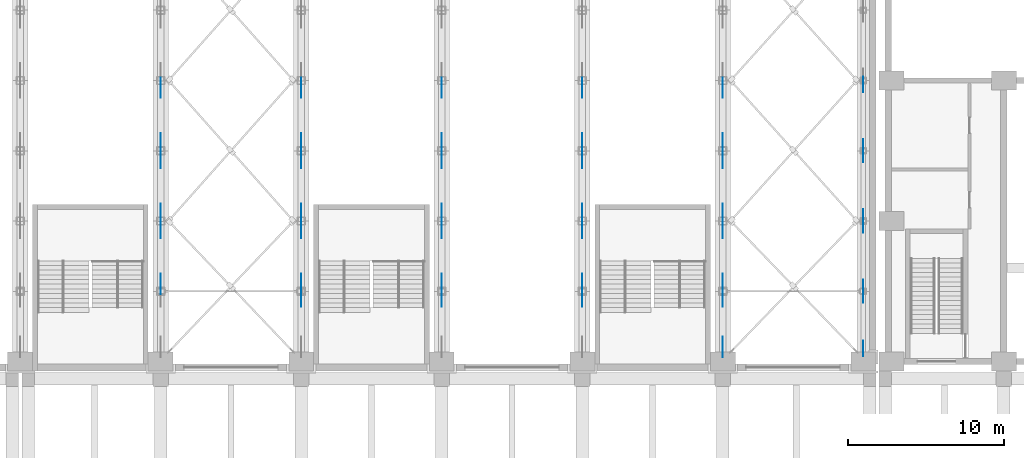
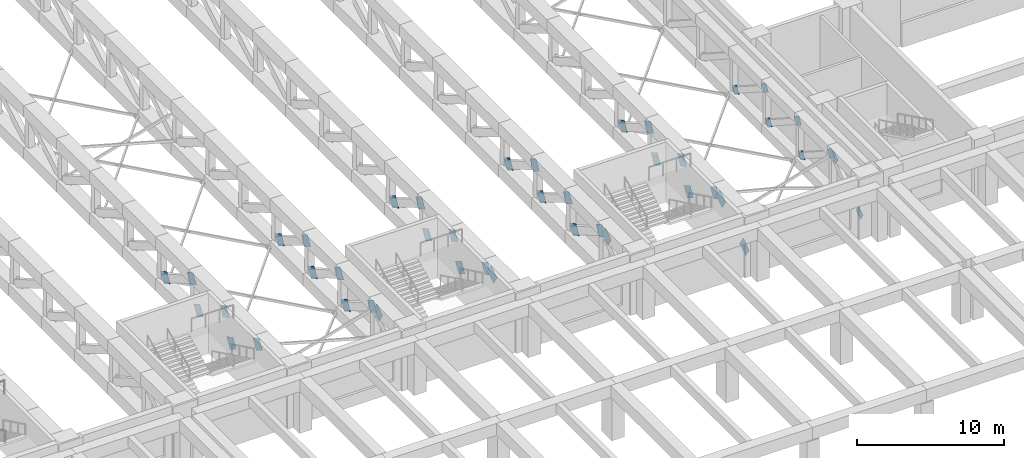
# One storey, part 53 of 76: 43 discrete accessories.
"""IFC4 building model written with IfcOpenShell, lengths in metres."""

from ifc_helpers import new_model, si_unit, direction, frame, origin, place, context, subcontext, project, spatial, polyline, outline, extrude, material, layer, layer_set, type_object, element, save


model = new_model("IFC4")

# Units and contexts
model_context = context("Model", 3, precision=1e-05, world=origin(), true_north=direction((0.0, 1.0)))
body_context = subcontext(model_context, "Body", "Model", "MODEL_VIEW")
ifc_project = project(units=[si_unit("LENGTHUNIT", "METRE"), si_unit("AREAUNIT", "SQUARE_METRE"), si_unit("VOLUMEUNIT", "CUBIC_METRE"), si_unit("PLANEANGLEUNIT", "RADIAN"), si_unit("MASSUNIT", "GRAM", prefix="KILO")], contexts=[model_context])

# Site, building, storey
site_placement = place(None, origin())
site = spatial("IfcSite", under=ifc_project, at=site_placement, CompositionType="ELEMENT")
building_placement = place(site_placement, origin())
building = spatial("IfcBuilding", under=site, at=building_placement, Name="Aravalli Gate Trade Fair Centre", CompositionType="ELEMENT")
storey_placement = place(building_placement, frame((0.0, 0.0, 10.0)))
storey = spatial("IfcBuildingStorey", under=building, at=storey_placement, Name="L02", CompositionType="ELEMENT", Elevation=10.0)

# Discrete accessories
ifc_material = material(Name="Steel E350", Category="steel")
ifc_layer_1 = layer(ifc_material, 0.01611328125)
ifc_layer_set_1 = layer_set([ifc_layer_1], Name="Steel E350")
discrete_accessory_type_1 = type_object("IfcDiscreteAccessoryType", Name="Gusset plate 675 x 675 x 16", PredefinedType="USERDEFINED", material=ifc_layer_set_1)
discrete_accessory_1_placement = place(storey_placement, frame((104.991943359375, 47.343017578125, 0.931884765625), z_axis=(-1.0, 0.0, 0.0), x_axis=(0.0, -0.80243851413, -0.596734807968)))
element("IfcDiscreteAccessory", 1, at=discrete_accessory_1_placement, inside=storey, type_object=discrete_accessory_type_1, Name="Gusset plate FT2 line 12 diagonal 1 end A", ObjectType="GUSSET PLATE", PredefinedType="USERDEFINED", context=body_context, shape_type="SweptSolid", body=[
    extrude(outline(polyline([(0.0, 0.0), (0.7548402525043576, 0.0), (0.7548082723853139, 0.675103392578611), (-3.1980119043650834e-05, 0.675103392578611), (0.0, 0.0)])), origin(), (0.0, 0.0, -1.0), 0.01611328125),
])
discrete_accessory_2_placement = place(storey_placement, frame((104.991943359375, 49.757080078125, 3.568115234375), z_axis=(-1.0, 0.0, 0.0), x_axis=(0.0, 0.80243851413, 0.596734807968)))
element("IfcDiscreteAccessory", 2, at=discrete_accessory_2_placement, inside=storey, type_object=discrete_accessory_type_1, Name="Gusset plate FT2 line 12 diagonal 1 end B", ObjectType="GUSSET PLATE", PredefinedType="USERDEFINED", context=body_context, shape_type="SweptSolid", body=[
    extrude(outline(polyline([(0.0, 0.0), (0.7548402525043576, 0.0), (0.7548082723853139, 0.675103392578611), (-0.00022788795940736906, 0.6749577053696343), (0.0, 0.0)])), origin(), (0.0, 0.0, -1.0), 0.01611328125),
])
discrete_accessory_3_placement = place(storey_placement, frame((104.991943359375, 50.884521484375, 3.05078125), z_axis=(-1.0, 0.0, 0.0), x_axis=(0.0, -0.840557944742, 0.541721645803)))
element("IfcDiscreteAccessory", 3, at=discrete_accessory_3_placement, inside=storey, type_object=discrete_accessory_type_1, Name="Gusset plate FT2 line 12 diagonal 2 end A", ObjectType="GUSSET PLATE", PredefinedType="USERDEFINED", context=body_context, shape_type="SweptSolid", body=[
    extrude(outline(polyline([(0.0, 0.0), (0.7548813122812147, -5.551115123125783e-17), (0.755038993328129, 0.6749057537468108), (-0.0001797895562460905, 0.6748327956660154), (0.0, 0.0)])), origin(), (0.0, 0.0, -1.0), 0.01611328125),
])
discrete_accessory_4_placement = place(storey_placement, frame((105.008056640625, 54.249755859375, 0.882080078125), z_axis=(1.0, 0.0, 0.0), x_axis=(0.0, 0.840505607678, -0.541802845565)))
element("IfcDiscreteAccessory", 4, at=discrete_accessory_4_placement, inside=storey, type_object=discrete_accessory_type_1, Name="Gusset plate FT2 line 12 diagonal 2 end B", ObjectType="GUSSET PLATE", PredefinedType="USERDEFINED", context=body_context, shape_type="SweptSolid", body=[
    extrude(outline(polyline([(0.0, 0.0), (0.755218786408441, 0.0), (0.7549959059400588, 0.6749057353646954), (0.00011459718133527419, 0.674832809885664), (0.0, 0.0)])), origin(), (0.0, 0.0, -1.0), 0.01611328125),
])
discrete_accessory_5_placement = place(storey_placement, frame((104.991943359375, 55.384521484375, 3.05078125), z_axis=(-1.0, 0.0, 0.0), x_axis=(0.0, -0.840557944742, 0.541721645803)))
element("IfcDiscreteAccessory", 5, at=discrete_accessory_5_placement, inside=storey, type_object=discrete_accessory_type_1, Name="Gusset plate FT2 line 12 diagonal 3 end A", ObjectType="GUSSET PLATE", PredefinedType="USERDEFINED", context=body_context, shape_type="SweptSolid", body=[
    extrude(outline(polyline([(0.0, 0.0), (0.7548813122812147, -5.551115123125783e-17), (0.755038993328129, 0.6749057537468108), (-0.0001797895562460905, 0.6748327956660154), (0.0, 0.0)])), origin(), (0.0, 0.0, -1.0), 0.01611328125),
])
discrete_accessory_6_placement = place(storey_placement, frame((105.008056640625, 58.749755859375, 0.882080078125), z_axis=(1.0, 0.0, 0.0), x_axis=(0.0, 0.840505607678, -0.541802845565)))
element("IfcDiscreteAccessory", 6, at=discrete_accessory_6_placement, inside=storey, type_object=discrete_accessory_type_1, Name="Gusset plate FT2 line 12 diagonal 3 end B", ObjectType="GUSSET PLATE", PredefinedType="USERDEFINED", context=body_context, shape_type="SweptSolid", body=[
    extrude(outline(polyline([(0.0, 0.0), (0.755218786408441, 0.0), (0.7549959059400588, 0.6749057353646954), (0.00011459718133527419, 0.674832809885664), (0.0, 0.0)])), origin(), (0.0, 0.0, -1.0), 0.01611328125),
])
discrete_accessory_7_placement = place(storey_placement, frame((104.991943359375, 59.884521484375, 3.05078125), z_axis=(-1.0, 0.0, 0.0), x_axis=(0.0, -0.840557944742, 0.541721645803)))
element("IfcDiscreteAccessory", 7, at=discrete_accessory_7_placement, inside=storey, type_object=discrete_accessory_type_1, Name="Gusset plate FT2 line 12 diagonal 4 end A", ObjectType="GUSSET PLATE", PredefinedType="USERDEFINED", context=body_context, shape_type="SweptSolid", body=[
    extrude(outline(polyline([(0.0, 0.0), (0.7548813122812147, -5.551115123125783e-17), (0.755038993328129, 0.6749057537468108), (-0.0001797895562460905, 0.6748327956660154), (0.0, 0.0)])), origin(), (0.0, 0.0, -1.0), 0.01611328125),
])
discrete_accessory_8_placement = place(storey_placement, frame((105.008056640625, 63.249755859375, 0.882080078125), z_axis=(1.0, 0.0, 0.0), x_axis=(0.0, 0.840505607678, -0.541802845565)))
element("IfcDiscreteAccessory", 8, at=discrete_accessory_8_placement, inside=storey, type_object=discrete_accessory_type_1, Name="Gusset plate FT2 line 12 diagonal 4 end B", ObjectType="GUSSET PLATE", PredefinedType="USERDEFINED", context=body_context, shape_type="SweptSolid", body=[
    extrude(outline(polyline([(0.0, 0.0), (0.755218786408441, 0.0), (0.7549959059400588, 0.6749057353646954), (0.00011459718133527419, 0.674832809885664), (0.0, 0.0)])), origin(), (0.0, 0.0, -1.0), 0.01611328125),
])
ifc_layer_2 = layer(ifc_material, 0.02001953125)
ifc_layer_set_2 = layer_set([ifc_layer_2], Name="Steel E350")
discrete_accessory_type_2 = type_object("IfcDiscreteAccessoryType", Name="Gusset plate 900 x 900 x 20", PredefinedType="USERDEFINED", material=ifc_layer_set_2)
discrete_accessory_9_placement = place(storey_placement, frame((59.989990234375, 51.156005859375, 2.657958984375), z_axis=(-1.0, 0.0, 0.0), x_axis=(0.0, -0.86388729855, 0.503685155037)))
element("IfcDiscreteAccessory", 9, at=discrete_accessory_9_placement, inside=storey, type_object=discrete_accessory_type_2, Name="Gusset plate FT1 line 7 diagonal 2 end A", ObjectType="GUSSET PLATE", PredefinedType="USERDEFINED", context=body_context, shape_type="SweptSolid", body=[
    extrude(outline(polyline([(0.0, 0.0), (0.9800811852673053, 0.0), (0.9800808203711375, 0.9001036081016202), (-3.6489616778156986e-07, 0.9001036081016202), (0.0, 0.0)])), origin(), (0.0, 0.0, -1.0), 0.02001953125),
])
discrete_accessory_10_placement = place(storey_placement, frame((60.010009765625, 53.890625, 1.064453125), z_axis=(1.0, 0.0, 0.0), x_axis=(0.0, 0.86388729855, -0.503685155037)))
element("IfcDiscreteAccessory", 10, at=discrete_accessory_10_placement, inside=storey, type_object=discrete_accessory_type_2, Name="Gusset plate FT1 line 7 diagonal 2 end B", ObjectType="GUSSET PLATE", PredefinedType="USERDEFINED", context=body_context, shape_type="SweptSolid", body=[
    extrude(outline(polyline([(0.0, 0.0), (0.9800811852673053, 0.0), (0.980081550163473, 0.9001036081016202), (3.6489616778156986e-07, 0.9001036081016202), (0.0, 0.0)])), origin(), (0.0, 0.0, -1.0), 0.02001953125),
])
discrete_accessory_11_placement = place(storey_placement, frame((59.989990234375, 55.656005859375, 2.657958984375), z_axis=(-1.0, 0.0, 0.0), x_axis=(0.0, -0.86388729855, 0.503685155037)))
element("IfcDiscreteAccessory", 11, at=discrete_accessory_11_placement, inside=storey, type_object=discrete_accessory_type_2, Name="Gusset plate FT1 line 7 diagonal 3 end A", ObjectType="GUSSET PLATE", PredefinedType="USERDEFINED", context=body_context, shape_type="SweptSolid", body=[
    extrude(outline(polyline([(0.0, 0.0), (0.9800811852673053, 0.0), (0.9800808203711375, 0.9001036081016202), (-3.6489616778156986e-07, 0.9001036081016202), (0.0, 0.0)])), origin(), (0.0, 0.0, -1.0), 0.02001953125),
])
discrete_accessory_12_placement = place(storey_placement, frame((60.010009765625, 58.390625, 1.064453125), z_axis=(1.0, 0.0, 0.0), x_axis=(0.0, 0.86388729855, -0.503685155037)))
element("IfcDiscreteAccessory", 12, at=discrete_accessory_12_placement, inside=storey, type_object=discrete_accessory_type_2, Name="Gusset plate FT1 line 7 diagonal 3 end B", ObjectType="GUSSET PLATE", PredefinedType="USERDEFINED", context=body_context, shape_type="SweptSolid", body=[
    extrude(outline(polyline([(0.0, 0.0), (0.9800811852673053, 0.0), (0.980081550163473, 0.9001036081016202), (3.6489616778156986e-07, 0.9001036081016202), (0.0, 0.0)])), origin(), (0.0, 0.0, -1.0), 0.02001953125),
])
discrete_accessory_13_placement = place(storey_placement, frame((59.989990234375, 60.156005859375, 2.657958984375), z_axis=(-1.0, 0.0, 0.0), x_axis=(0.0, -0.86388729855, 0.503685155037)))
element("IfcDiscreteAccessory", 13, at=discrete_accessory_13_placement, inside=storey, type_object=discrete_accessory_type_2, Name="Gusset plate FT1 line 7 diagonal 4 end A", ObjectType="GUSSET PLATE", PredefinedType="USERDEFINED", context=body_context, shape_type="SweptSolid", body=[
    extrude(outline(polyline([(0.0, 0.0), (0.9800811852673053, 0.0), (0.9800808203711375, 0.9001036081016202), (-3.6489616778156986e-07, 0.9001036081016202), (0.0, 0.0)])), origin(), (0.0, 0.0, -1.0), 0.02001953125),
])
discrete_accessory_14_placement = place(storey_placement, frame((60.010009765625, 62.890625, 1.064453125), z_axis=(1.0, 0.0, 0.0), x_axis=(0.0, 0.86388729855, -0.503685155037)))
element("IfcDiscreteAccessory", 14, at=discrete_accessory_14_placement, inside=storey, type_object=discrete_accessory_type_2, Name="Gusset plate FT1 line 7 diagonal 4 end B", ObjectType="GUSSET PLATE", PredefinedType="USERDEFINED", context=body_context, shape_type="SweptSolid", body=[
    extrude(outline(polyline([(0.0, 0.0), (0.9800811852673053, 0.0), (0.980081550163473, 0.9001036081016202), (3.6489616778156986e-07, 0.9001036081016202), (0.0, 0.0)])), origin(), (0.0, 0.0, -1.0), 0.02001953125),
])
discrete_accessory_15_placement = place(storey_placement, frame((68.989990234375, 49.49951171875, 3.39306640625), z_axis=(-1.0, 0.0, 0.0), x_axis=(0.0, 0.841768840933, 0.539838140959)))
element("IfcDiscreteAccessory", 15, at=discrete_accessory_15_placement, inside=storey, type_object=discrete_accessory_type_2, Name="Gusset plate FT1 line 8 diagonal 1 end B", ObjectType="GUSSET PLATE", PredefinedType="USERDEFINED", context=body_context, shape_type="SweptSolid", body=[
    extrude(outline(polyline([(0.0, 0.0), (0.9800210363699342, 0.0), (0.9798897873266467, 0.9001778278234601), (-0.00020496259308583342, 0.8998405214313965), (0.0, 0.0)])), origin(), (0.0, 0.0, -1.0), 0.02001953125),
])
discrete_accessory_16_placement = place(storey_placement, frame((68.989990234375, 51.156005859375, 2.657958984375), z_axis=(-1.0, 0.0, 0.0), x_axis=(0.0, -0.86388729855, 0.503685155037)))
element("IfcDiscreteAccessory", 16, at=discrete_accessory_16_placement, inside=storey, type_object=discrete_accessory_type_2, Name="Gusset plate FT1 line 8 diagonal 2 end A", ObjectType="GUSSET PLATE", PredefinedType="USERDEFINED", context=body_context, shape_type="SweptSolid", body=[
    extrude(outline(polyline([(0.0, 0.0), (0.9800811852673053, 0.0), (0.9800808203711375, 0.9001036081016202), (-3.6489616778156986e-07, 0.9001036081016202), (0.0, 0.0)])), origin(), (0.0, 0.0, -1.0), 0.02001953125),
])
discrete_accessory_17_placement = place(storey_placement, frame((69.010009765625, 53.890625, 1.064453125), z_axis=(1.0, 0.0, 0.0), x_axis=(0.0, 0.86388729855, -0.503685155037)))
element("IfcDiscreteAccessory", 17, at=discrete_accessory_17_placement, inside=storey, type_object=discrete_accessory_type_2, Name="Gusset plate FT1 line 8 diagonal 2 end B", ObjectType="GUSSET PLATE", PredefinedType="USERDEFINED", context=body_context, shape_type="SweptSolid", body=[
    extrude(outline(polyline([(0.0, 0.0), (0.9800811852673053, 0.0), (0.980081550163473, 0.9001036081016202), (3.6489616778156986e-07, 0.9001036081016202), (0.0, 0.0)])), origin(), (0.0, 0.0, -1.0), 0.02001953125),
])
discrete_accessory_18_placement = place(storey_placement, frame((68.989990234375, 55.656005859375, 2.657958984375), z_axis=(-1.0, 0.0, 0.0), x_axis=(0.0, -0.86388729855, 0.503685155037)))
element("IfcDiscreteAccessory", 18, at=discrete_accessory_18_placement, inside=storey, type_object=discrete_accessory_type_2, Name="Gusset plate FT1 line 8 diagonal 3 end A", ObjectType="GUSSET PLATE", PredefinedType="USERDEFINED", context=body_context, shape_type="SweptSolid", body=[
    extrude(outline(polyline([(0.0, 0.0), (0.9800811852673053, 0.0), (0.9800808203711375, 0.9001036081016202), (-3.6489616778156986e-07, 0.9001036081016202), (0.0, 0.0)])), origin(), (0.0, 0.0, -1.0), 0.02001953125),
])
discrete_accessory_19_placement = place(storey_placement, frame((69.010009765625, 58.390625, 1.064453125), z_axis=(1.0, 0.0, 0.0), x_axis=(0.0, 0.86388729855, -0.503685155037)))
element("IfcDiscreteAccessory", 19, at=discrete_accessory_19_placement, inside=storey, type_object=discrete_accessory_type_2, Name="Gusset plate FT1 line 8 diagonal 3 end B", ObjectType="GUSSET PLATE", PredefinedType="USERDEFINED", context=body_context, shape_type="SweptSolid", body=[
    extrude(outline(polyline([(0.0, 0.0), (0.9800811852673053, 0.0), (0.980081550163473, 0.9001036081016202), (3.6489616778156986e-07, 0.9001036081016202), (0.0, 0.0)])), origin(), (0.0, 0.0, -1.0), 0.02001953125),
])
discrete_accessory_20_placement = place(storey_placement, frame((68.989990234375, 60.156005859375, 2.657958984375), z_axis=(-1.0, 0.0, 0.0), x_axis=(0.0, -0.86388729855, 0.503685155037)))
element("IfcDiscreteAccessory", 20, at=discrete_accessory_20_placement, inside=storey, type_object=discrete_accessory_type_2, Name="Gusset plate FT1 line 8 diagonal 4 end A", ObjectType="GUSSET PLATE", PredefinedType="USERDEFINED", context=body_context, shape_type="SweptSolid", body=[
    extrude(outline(polyline([(0.0, 0.0), (0.9800811852673053, 0.0), (0.9800808203711375, 0.9001036081016202), (-3.6489616778156986e-07, 0.9001036081016202), (0.0, 0.0)])), origin(), (0.0, 0.0, -1.0), 0.02001953125),
])
discrete_accessory_21_placement = place(storey_placement, frame((69.010009765625, 62.890625, 1.064453125), z_axis=(1.0, 0.0, 0.0), x_axis=(0.0, 0.86388729855, -0.503685155037)))
element("IfcDiscreteAccessory", 21, at=discrete_accessory_21_placement, inside=storey, type_object=discrete_accessory_type_2, Name="Gusset plate FT1 line 8 diagonal 4 end B", ObjectType="GUSSET PLATE", PredefinedType="USERDEFINED", context=body_context, shape_type="SweptSolid", body=[
    extrude(outline(polyline([(0.0, 0.0), (0.9800811852673053, 0.0), (0.980081550163473, 0.9001036081016202), (3.6489616778156986e-07, 0.9001036081016202), (0.0, 0.0)])), origin(), (0.0, 0.0, -1.0), 0.02001953125),
])
discrete_accessory_22_placement = place(storey_placement, frame((77.989990234375, 49.49951171875, 3.39306640625), z_axis=(-1.0, 0.0, 0.0), x_axis=(0.0, 0.841768840933, 0.539838140959)))
element("IfcDiscreteAccessory", 22, at=discrete_accessory_22_placement, inside=storey, type_object=discrete_accessory_type_2, Name="Gusset plate FT1 line 9 diagonal 1 end B", ObjectType="GUSSET PLATE", PredefinedType="USERDEFINED", context=body_context, shape_type="SweptSolid", body=[
    extrude(outline(polyline([(0.0, 0.0), (0.9800210363699342, 0.0), (0.9798897873266467, 0.9001778278234601), (-0.00020496259308583342, 0.8998405214313965), (0.0, 0.0)])), origin(), (0.0, 0.0, -1.0), 0.02001953125),
])
discrete_accessory_23_placement = place(storey_placement, frame((77.989990234375, 51.156005859375, 2.657958984375), z_axis=(-1.0, 0.0, 0.0), x_axis=(0.0, -0.86388729855, 0.503685155037)))
element("IfcDiscreteAccessory", 23, at=discrete_accessory_23_placement, inside=storey, type_object=discrete_accessory_type_2, Name="Gusset plate FT1 line 9 diagonal 2 end A", ObjectType="GUSSET PLATE", PredefinedType="USERDEFINED", context=body_context, shape_type="SweptSolid", body=[
    extrude(outline(polyline([(0.0, 0.0), (0.9800811852673053, 0.0), (0.9800808203711375, 0.9001036081016202), (-3.6489616778156986e-07, 0.9001036081016202), (0.0, 0.0)])), origin(), (0.0, 0.0, -1.0), 0.02001953125),
])
discrete_accessory_24_placement = place(storey_placement, frame((78.010009765625, 53.890625, 1.064453125), z_axis=(1.0, 0.0, 0.0), x_axis=(0.0, 0.86388729855, -0.503685155037)))
element("IfcDiscreteAccessory", 24, at=discrete_accessory_24_placement, inside=storey, type_object=discrete_accessory_type_2, Name="Gusset plate FT1 line 9 diagonal 2 end B", ObjectType="GUSSET PLATE", PredefinedType="USERDEFINED", context=body_context, shape_type="SweptSolid", body=[
    extrude(outline(polyline([(0.0, 0.0), (0.9800811852673053, 0.0), (0.980081550163473, 0.9001036081016202), (3.6489616778156986e-07, 0.9001036081016202), (0.0, 0.0)])), origin(), (0.0, 0.0, -1.0), 0.02001953125),
])
discrete_accessory_25_placement = place(storey_placement, frame((77.989990234375, 55.656005859375, 2.657958984375), z_axis=(-1.0, 0.0, 0.0), x_axis=(0.0, -0.86388729855, 0.503685155037)))
element("IfcDiscreteAccessory", 25, at=discrete_accessory_25_placement, inside=storey, type_object=discrete_accessory_type_2, Name="Gusset plate FT1 line 9 diagonal 3 end A", ObjectType="GUSSET PLATE", PredefinedType="USERDEFINED", context=body_context, shape_type="SweptSolid", body=[
    extrude(outline(polyline([(0.0, 0.0), (0.9800811852673053, 0.0), (0.9800808203711375, 0.9001036081016202), (-3.6489616778156986e-07, 0.9001036081016202), (0.0, 0.0)])), origin(), (0.0, 0.0, -1.0), 0.02001953125),
])
discrete_accessory_26_placement = place(storey_placement, frame((78.010009765625, 58.390625, 1.064453125), z_axis=(1.0, 0.0, 0.0), x_axis=(0.0, 0.86388729855, -0.503685155037)))
element("IfcDiscreteAccessory", 26, at=discrete_accessory_26_placement, inside=storey, type_object=discrete_accessory_type_2, Name="Gusset plate FT1 line 9 diagonal 3 end B", ObjectType="GUSSET PLATE", PredefinedType="USERDEFINED", context=body_context, shape_type="SweptSolid", body=[
    extrude(outline(polyline([(0.0, 0.0), (0.9800811852673053, 0.0), (0.980081550163473, 0.9001036081016202), (3.6489616778156986e-07, 0.9001036081016202), (0.0, 0.0)])), origin(), (0.0, 0.0, -1.0), 0.02001953125),
])
discrete_accessory_27_placement = place(storey_placement, frame((77.989990234375, 60.156005859375, 2.657958984375), z_axis=(-1.0, 0.0, 0.0), x_axis=(0.0, -0.86388729855, 0.503685155037)))
element("IfcDiscreteAccessory", 27, at=discrete_accessory_27_placement, inside=storey, type_object=discrete_accessory_type_2, Name="Gusset plate FT1 line 9 diagonal 4 end A", ObjectType="GUSSET PLATE", PredefinedType="USERDEFINED", context=body_context, shape_type="SweptSolid", body=[
    extrude(outline(polyline([(0.0, 0.0), (0.9800811852673053, 0.0), (0.9800808203711375, 0.9001036081016202), (-3.6489616778156986e-07, 0.9001036081016202), (0.0, 0.0)])), origin(), (0.0, 0.0, -1.0), 0.02001953125),
])
discrete_accessory_28_placement = place(storey_placement, frame((78.010009765625, 62.890625, 1.064453125), z_axis=(1.0, 0.0, 0.0), x_axis=(0.0, 0.86388729855, -0.503685155037)))
element("IfcDiscreteAccessory", 28, at=discrete_accessory_28_placement, inside=storey, type_object=discrete_accessory_type_2, Name="Gusset plate FT1 line 9 diagonal 4 end B", ObjectType="GUSSET PLATE", PredefinedType="USERDEFINED", context=body_context, shape_type="SweptSolid", body=[
    extrude(outline(polyline([(0.0, 0.0), (0.9800811852673053, 0.0), (0.980081550163473, 0.9001036081016202), (3.6489616778156986e-07, 0.9001036081016202), (0.0, 0.0)])), origin(), (0.0, 0.0, -1.0), 0.02001953125),
])
discrete_accessory_29_placement = place(storey_placement, frame((86.989990234375, 49.49951171875, 3.39306640625), z_axis=(-1.0, 0.0, 0.0), x_axis=(0.0, 0.841768840933, 0.539838140959)))
element("IfcDiscreteAccessory", 29, at=discrete_accessory_29_placement, inside=storey, type_object=discrete_accessory_type_2, Name="Gusset plate FT1 line 10 diagonal 1 end B", ObjectType="GUSSET PLATE", PredefinedType="USERDEFINED", context=body_context, shape_type="SweptSolid", body=[
    extrude(outline(polyline([(0.0, 0.0), (0.9800210363699342, 0.0), (0.9798897873266467, 0.9001778278234601), (-0.00020496259308583342, 0.8998405214313965), (0.0, 0.0)])), origin(), (0.0, 0.0, -1.0), 0.02001953125),
])
discrete_accessory_30_placement = place(storey_placement, frame((86.989990234375, 51.156005859375, 2.657958984375), z_axis=(-1.0, 0.0, 0.0), x_axis=(0.0, -0.86388729855, 0.503685155037)))
element("IfcDiscreteAccessory", 30, at=discrete_accessory_30_placement, inside=storey, type_object=discrete_accessory_type_2, Name="Gusset plate FT1 line 10 diagonal 2 end A", ObjectType="GUSSET PLATE", PredefinedType="USERDEFINED", context=body_context, shape_type="SweptSolid", body=[
    extrude(outline(polyline([(0.0, 0.0), (0.9800811852673053, 0.0), (0.9800808203711375, 0.9001036081016202), (-3.6489616778156986e-07, 0.9001036081016202), (0.0, 0.0)])), origin(), (0.0, 0.0, -1.0), 0.02001953125),
])
discrete_accessory_31_placement = place(storey_placement, frame((87.010009765625, 53.890625, 1.064453125), z_axis=(1.0, 0.0, 0.0), x_axis=(0.0, 0.86388729855, -0.503685155037)))
element("IfcDiscreteAccessory", 31, at=discrete_accessory_31_placement, inside=storey, type_object=discrete_accessory_type_2, Name="Gusset plate FT1 line 10 diagonal 2 end B", ObjectType="GUSSET PLATE", PredefinedType="USERDEFINED", context=body_context, shape_type="SweptSolid", body=[
    extrude(outline(polyline([(0.0, 0.0), (0.9800811852673053, 0.0), (0.980081550163473, 0.9001036081016202), (3.6489616778156986e-07, 0.9001036081016202), (0.0, 0.0)])), origin(), (0.0, 0.0, -1.0), 0.02001953125),
])
discrete_accessory_32_placement = place(storey_placement, frame((86.989990234375, 55.656005859375, 2.657958984375), z_axis=(-1.0, 0.0, 0.0), x_axis=(0.0, -0.86388729855, 0.503685155037)))
element("IfcDiscreteAccessory", 32, at=discrete_accessory_32_placement, inside=storey, type_object=discrete_accessory_type_2, Name="Gusset plate FT1 line 10 diagonal 3 end A", ObjectType="GUSSET PLATE", PredefinedType="USERDEFINED", context=body_context, shape_type="SweptSolid", body=[
    extrude(outline(polyline([(0.0, 0.0), (0.9800811852673053, 0.0), (0.9800808203711375, 0.9001036081016202), (-3.6489616778156986e-07, 0.9001036081016202), (0.0, 0.0)])), origin(), (0.0, 0.0, -1.0), 0.02001953125),
])
discrete_accessory_33_placement = place(storey_placement, frame((87.010009765625, 58.390625, 1.064453125), z_axis=(1.0, 0.0, 0.0), x_axis=(0.0, 0.86388729855, -0.503685155037)))
element("IfcDiscreteAccessory", 33, at=discrete_accessory_33_placement, inside=storey, type_object=discrete_accessory_type_2, Name="Gusset plate FT1 line 10 diagonal 3 end B", ObjectType="GUSSET PLATE", PredefinedType="USERDEFINED", context=body_context, shape_type="SweptSolid", body=[
    extrude(outline(polyline([(0.0, 0.0), (0.9800811852673053, 0.0), (0.980081550163473, 0.9001036081016202), (3.6489616778156986e-07, 0.9001036081016202), (0.0, 0.0)])), origin(), (0.0, 0.0, -1.0), 0.02001953125),
])
discrete_accessory_34_placement = place(storey_placement, frame((86.989990234375, 60.156005859375, 2.657958984375), z_axis=(-1.0, 0.0, 0.0), x_axis=(0.0, -0.86388729855, 0.503685155037)))
element("IfcDiscreteAccessory", 34, at=discrete_accessory_34_placement, inside=storey, type_object=discrete_accessory_type_2, Name="Gusset plate FT1 line 10 diagonal 4 end A", ObjectType="GUSSET PLATE", PredefinedType="USERDEFINED", context=body_context, shape_type="SweptSolid", body=[
    extrude(outline(polyline([(0.0, 0.0), (0.9800811852673053, 0.0), (0.9800808203711375, 0.9001036081016202), (-3.6489616778156986e-07, 0.9001036081016202), (0.0, 0.0)])), origin(), (0.0, 0.0, -1.0), 0.02001953125),
])
discrete_accessory_35_placement = place(storey_placement, frame((87.010009765625, 62.890625, 1.064453125), z_axis=(1.0, 0.0, 0.0), x_axis=(0.0, 0.86388729855, -0.503685155037)))
element("IfcDiscreteAccessory", 35, at=discrete_accessory_35_placement, inside=storey, type_object=discrete_accessory_type_2, Name="Gusset plate FT1 line 10 diagonal 4 end B", ObjectType="GUSSET PLATE", PredefinedType="USERDEFINED", context=body_context, shape_type="SweptSolid", body=[
    extrude(outline(polyline([(0.0, 0.0), (0.9800811852673053, 0.0), (0.980081550163473, 0.9001036081016202), (3.6489616778156986e-07, 0.9001036081016202), (0.0, 0.0)])), origin(), (0.0, 0.0, -1.0), 0.02001953125),
])
discrete_accessory_36_placement = place(storey_placement, frame((95.989990234375, 47.6005859375, 1.10693359375), z_axis=(-1.0, 0.0, 0.0), x_axis=(0.0, -0.841841417294, -0.539724955999)))
element("IfcDiscreteAccessory", 36, at=discrete_accessory_36_placement, inside=storey, type_object=discrete_accessory_type_2, Name="Gusset plate FT1 line 11 diagonal 1 end A", ObjectType="GUSSET PLATE", PredefinedType="USERDEFINED", context=body_context, shape_type="SweptSolid", body=[
    extrude(outline(polyline([(0.0, 0.0), (0.9802265552012132, 5.551115123125783e-17), (0.9800108119339646, 0.9000460685456917), (0.00012155321060602908, 0.8999723096440082), (0.0, 0.0)])), origin(), (0.0, 0.0, -1.0), 0.02001953125),
])
discrete_accessory_37_placement = place(storey_placement, frame((95.989990234375, 49.49951171875, 3.39306640625), z_axis=(-1.0, 0.0, 0.0), x_axis=(0.0, 0.841768840933, 0.539838140959)))
element("IfcDiscreteAccessory", 37, at=discrete_accessory_37_placement, inside=storey, type_object=discrete_accessory_type_2, Name="Gusset plate FT1 line 11 diagonal 1 end B", ObjectType="GUSSET PLATE", PredefinedType="USERDEFINED", context=body_context, shape_type="SweptSolid", body=[
    extrude(outline(polyline([(0.0, 0.0), (0.9800210363699342, 0.0), (0.9798897873266467, 0.9001778278234601), (-0.00020496259308583342, 0.8998405214313965), (0.0, 0.0)])), origin(), (0.0, 0.0, -1.0), 0.02001953125),
])
discrete_accessory_38_placement = place(storey_placement, frame((95.989990234375, 51.156005859375, 2.657958984375), z_axis=(-1.0, 0.0, 0.0), x_axis=(0.0, -0.86388729855, 0.503685155037)))
element("IfcDiscreteAccessory", 38, at=discrete_accessory_38_placement, inside=storey, type_object=discrete_accessory_type_2, Name="Gusset plate FT1 line 11 diagonal 2 end A", ObjectType="GUSSET PLATE", PredefinedType="USERDEFINED", context=body_context, shape_type="SweptSolid", body=[
    extrude(outline(polyline([(0.0, 0.0), (0.9800811852673053, 0.0), (0.9800808203711375, 0.9001036081016202), (-3.6489616778156986e-07, 0.9001036081016202), (0.0, 0.0)])), origin(), (0.0, 0.0, -1.0), 0.02001953125),
])
discrete_accessory_39_placement = place(storey_placement, frame((96.010009765625, 53.890625, 1.064453125), z_axis=(1.0, 0.0, 0.0), x_axis=(0.0, 0.86388729855, -0.503685155037)))
element("IfcDiscreteAccessory", 39, at=discrete_accessory_39_placement, inside=storey, type_object=discrete_accessory_type_2, Name="Gusset plate FT1 line 11 diagonal 2 end B", ObjectType="GUSSET PLATE", PredefinedType="USERDEFINED", context=body_context, shape_type="SweptSolid", body=[
    extrude(outline(polyline([(0.0, 0.0), (0.9800811852673053, 0.0), (0.980081550163473, 0.9001036081016202), (3.6489616778156986e-07, 0.9001036081016202), (0.0, 0.0)])), origin(), (0.0, 0.0, -1.0), 0.02001953125),
])
discrete_accessory_40_placement = place(storey_placement, frame((95.989990234375, 55.656005859375, 2.657958984375), z_axis=(-1.0, 0.0, 0.0), x_axis=(0.0, -0.86388729855, 0.503685155037)))
element("IfcDiscreteAccessory", 40, at=discrete_accessory_40_placement, inside=storey, type_object=discrete_accessory_type_2, Name="Gusset plate FT1 line 11 diagonal 3 end A", ObjectType="GUSSET PLATE", PredefinedType="USERDEFINED", context=body_context, shape_type="SweptSolid", body=[
    extrude(outline(polyline([(0.0, 0.0), (0.9800811852673053, 0.0), (0.9800808203711375, 0.9001036081016202), (-3.6489616778156986e-07, 0.9001036081016202), (0.0, 0.0)])), origin(), (0.0, 0.0, -1.0), 0.02001953125),
])
discrete_accessory_41_placement = place(storey_placement, frame((96.010009765625, 58.390625, 1.064453125), z_axis=(1.0, 0.0, 0.0), x_axis=(0.0, 0.86388729855, -0.503685155037)))
element("IfcDiscreteAccessory", 41, at=discrete_accessory_41_placement, inside=storey, type_object=discrete_accessory_type_2, Name="Gusset plate FT1 line 11 diagonal 3 end B", ObjectType="GUSSET PLATE", PredefinedType="USERDEFINED", context=body_context, shape_type="SweptSolid", body=[
    extrude(outline(polyline([(0.0, 0.0), (0.9800811852673053, 0.0), (0.980081550163473, 0.9001036081016202), (3.6489616778156986e-07, 0.9001036081016202), (0.0, 0.0)])), origin(), (0.0, 0.0, -1.0), 0.02001953125),
])
discrete_accessory_42_placement = place(storey_placement, frame((95.989990234375, 60.156005859375, 2.657958984375), z_axis=(-1.0, 0.0, 0.0), x_axis=(0.0, -0.86388729855, 0.503685155037)))
element("IfcDiscreteAccessory", 42, at=discrete_accessory_42_placement, inside=storey, type_object=discrete_accessory_type_2, Name="Gusset plate FT1 line 11 diagonal 4 end A", ObjectType="GUSSET PLATE", PredefinedType="USERDEFINED", context=body_context, shape_type="SweptSolid", body=[
    extrude(outline(polyline([(0.0, 0.0), (0.9800811852673053, 0.0), (0.9800808203711375, 0.9001036081016202), (-3.6489616778156986e-07, 0.9001036081016202), (0.0, 0.0)])), origin(), (0.0, 0.0, -1.0), 0.02001953125),
])
discrete_accessory_43_placement = place(storey_placement, frame((96.010009765625, 62.890625, 1.064453125), z_axis=(1.0, 0.0, 0.0), x_axis=(0.0, 0.86388729855, -0.503685155037)))
element("IfcDiscreteAccessory", 43, at=discrete_accessory_43_placement, inside=storey, type_object=discrete_accessory_type_2, Name="Gusset plate FT1 line 11 diagonal 4 end B", ObjectType="GUSSET PLATE", PredefinedType="USERDEFINED", context=body_context, shape_type="SweptSolid", body=[
    extrude(outline(polyline([(0.0, 0.0), (0.9800811852673053, 0.0), (0.980081550163473, 0.9001036081016202), (3.6489616778156986e-07, 0.9001036081016202), (0.0, 0.0)])), origin(), (0.0, 0.0, -1.0), 0.02001953125),
])

save(model, "model.ifc")
